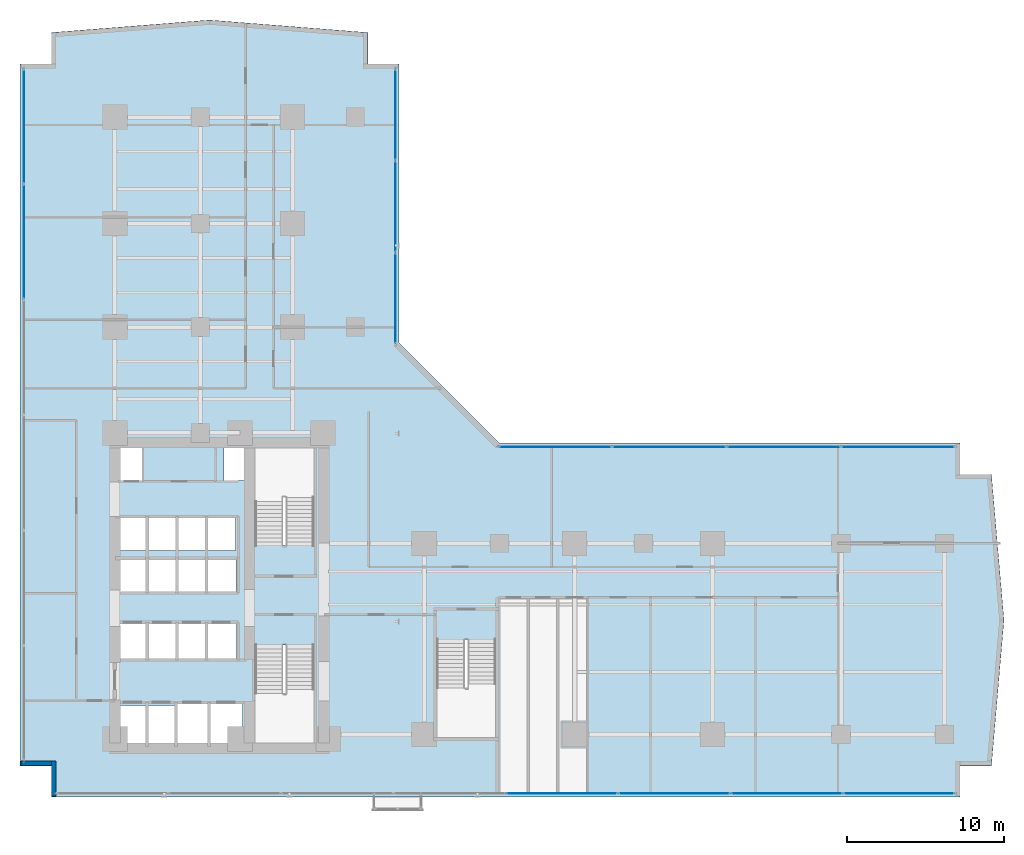
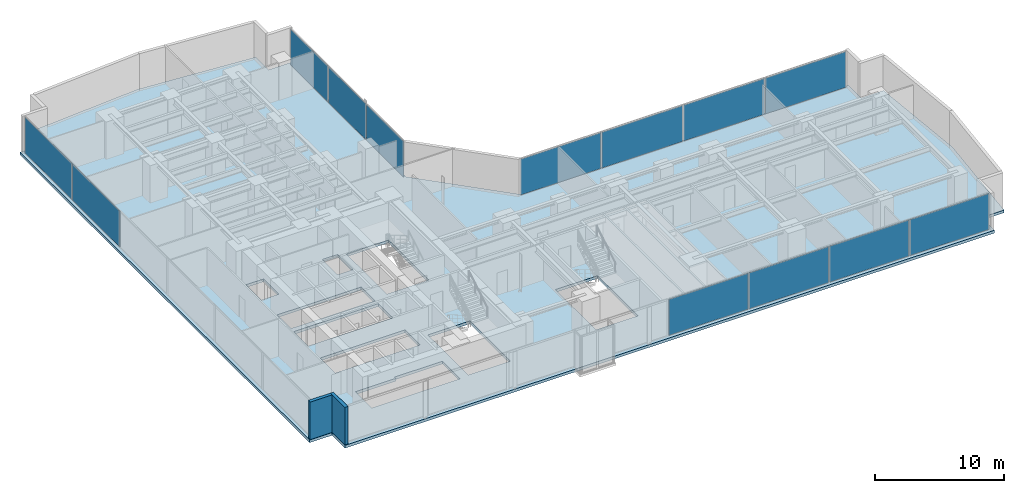
# One storey, part 21 of 27: 13 plates, 2 walls, 1 slab, 4 elements without a shape of their own.
"""IFC4 building model written with IfcOpenShell, lengths in metres."""

from ifc_helpers import new_model, si_unit, direction, frame, frame_2d, origin, origin_with_axes, origin_2d, place, context, subcontext, project, spatial, polyline, rectangle, outline, extrude, source, transform, mapped, material, layer, layer_set, type_object, element, aggregate, save


model = new_model("IFC4")

# Units and contexts
model_context = context("Model", 3, precision=1e-05, world=origin(), true_north=direction((0.0, 1.0)))
body_context = subcontext(model_context, "Body", "Model", "MODEL_VIEW")
ifc_project = project(units=[si_unit("LENGTHUNIT", "METRE"), si_unit("AREAUNIT", "SQUARE_METRE"), si_unit("VOLUMEUNIT", "CUBIC_METRE"), si_unit("PLANEANGLEUNIT", "RADIAN"), si_unit("MASSUNIT", "GRAM", prefix="KILO")], contexts=[model_context])

# Site, building, storey
site_placement = place(None, origin())
site = spatial("IfcSite", under=ifc_project, at=site_placement, CompositionType="ELEMENT")
building_placement = place(site_placement, origin())
building = spatial("IfcBuilding", under=site, at=building_placement, Name="Kolvaren Waterfront Exchange", CompositionType="ELEMENT")
storey_placement = place(building_placement, frame((0.0, 0.0, 60.0)))
storey = spatial("IfcBuildingStorey", under=building, at=storey_placement, Name="L15", CompositionType="ELEMENT", Elevation=60.0)

# Slab
ifc_material_1 = material(Name="Concrete C40/50", Category="concrete")
ifc_layer_1 = layer(ifc_material_1, 0.260009765625, Name="Concrete C40/50")
ifc_layer_set_1 = layer_set([ifc_layer_1], Name="Concrete C40/50")
slab_type = type_object("IfcSlabType", Name="STR-SLAB-260", PredefinedType="FLOOR", material=ifc_layer_set_1)
slab_placement = place(storey_placement, frame((0.0, 0.0, -0.260009765625)))
element("IfcSlab", 1, at=slab_placement, inside=storey, type_object=slab_type, Name="L15 structural floor slab", PredefinedType="FLOOR", context=body_context, shape_type="SweptSolid", body=[
    extrude(outline(polyline([(3.39990234375, 1.199951171875), (61.39990234375, 1.199951171875), (61.39990234375, 3.199951171875), (63.39990234375, 3.199951171875), (64.199951171875, 12.5), (63.39990234375, 21.800048828125), (61.39990234375, 21.800048828125), (61.39990234375, 23.800048828125), (32.0, 23.800048828125), (25.60009765625, 30.199951171875), (25.60009765625, 48.0), (23.60009765625, 48.0), (23.60009765625, 50.0), (13.5, 50.800048828125), (3.39990234375, 50.0), (3.39990234375, 48.0), (1.39990234375, 48.0), (1.39990234375, 3.199951171875), (3.39990234375, 3.199951171875), (3.39990234375, 1.199951171875)]), holes=[polyline([(11.320068359375, 7.260009765625), (15.610107421875, 7.260009765625), (15.610107421875, 4.5400390625), (7.719970703125, 4.5400390625), (7.719970703125, 7.06005859375), (11.320068359375, 7.06005859375), (11.320068359375, 7.260009765625)]), polyline([(20.159912109375, 4.64990234375), (16.39990234375, 4.64990234375), (16.39990234375, 10.89990234375), (20.159912109375, 10.89990234375), (20.159912109375, 4.64990234375)]), polyline([(31.760009765625, 5.0), (28.0, 5.0), (28.0, 11.25), (31.760009765625, 11.25), (31.760009765625, 5.0)]), polyline([(15.2099609375, 10.0400390625), (7.6201171875, 10.0400390625), (7.6201171875, 12.360107421875), (15.2099609375, 12.360107421875), (15.2099609375, 10.0400390625)]), polyline([(7.64501953125, 16.4599609375), (15.18505859375, 16.4599609375), (15.18505859375, 14.239990234375), (7.64501953125, 14.239990234375), (7.64501953125, 16.4599609375)]), polyline([(15.159912109375, 16.93994140625), (7.669921875, 16.93994140625), (7.669921875, 19.06005859375), (15.159912109375, 19.06005859375), (15.159912109375, 16.93994140625)]), polyline([(16.39990234375, 23.5), (20.159912109375, 23.5), (20.159912109375, 17.25), (16.39990234375, 17.25), (16.39990234375, 23.5)]), polyline([(7.60009765625, 23.780029296875), (9.179931640625, 23.780029296875), (9.179931640625, 21.419921875), (7.60009765625, 21.419921875), (7.60009765625, 23.780029296875)]), polyline([(15.800048828125, 23.780029296875), (15.800048828125, 21.419921875), (14.419921875, 21.419921875), (14.419921875, 23.780029296875), (15.800048828125, 23.780029296875)])]), origin(), (0.0, 0.0, 1.0), 0.260009765625),
])

# Curtain wall, plates
ifc_material_2 = material(Name="Anodised bronze aluminium 6063-T6", Category="aluminium")
ifc_layer_2 = layer(ifc_material_2, 0.219970703125, Name="Anodised bronze aluminium 6063-T6")
ifc_layer_set_2 = layer_set([ifc_layer_2], Name="Anodised bronze aluminium 6063-T6")
curtain_wall_type_1 = type_object("IfcCurtainWallType", Name="ARC-CW-SYS1", PredefinedType="USERDEFINED", material=ifc_layer_set_2)
curtain_wall_1_placement = place(storey_placement, origin())
curtain_wall_1 = element("IfcCurtainWall", 2, at=curtain_wall_1_placement, inside=storey, type_object=curtain_wall_type_1, Name="L15 stick curtain wall CW1 (CW-L15-S)", ObjectType="STICK CURTAIN WALL", PredefinedType="USERDEFINED")
ifc_material_3 = material(Name="Bronze solar control vision glass", Category="aluminium")
ifc_layer_3 = layer(ifc_material_3, 0.028076171875, Name="Bronze solar control vision glass")
ifc_layer_set_3 = layer_set([ifc_layer_3], Name="Bronze solar control vision glass")
plate_type_1 = type_object("IfcPlateType", Name="ARC-CWP-28", PredefinedType="CURTAIN_PANEL", material=ifc_layer_set_3)
shared_shape_1 = source(origin_with_axes(), body_context, "Body", "SweptSolid", [
    extrude(rectangle(XDim=7.054931640625, YDim=0.028076171875, at=origin_2d()), origin(), (0.0, 0.0, 1.0), 3.389892578125),
])
plate_1_placement = place(storey_placement, frame((57.492431640625, 1.43994140625, 0.0751953125), z_axis=(0.0, 0.0, 1.0), x_axis=(1.0, 0.0, 0.0)))
plate_1 = element("IfcPlate", 3, at=plate_1_placement, type_object=plate_type_1, Name="CW1 panel 8.1", PredefinedType="CURTAIN_PANEL", context=body_context, shape_type="MappedRepresentation", body=[
    mapped(shared_shape_1, transform((0.0, 0.0, 0.0), x_axis=(1.0, 0.0, 0.0), y_axis=(0.0, 1.0, 0.0), z_axis=(0.0, 0.0, 1.0), scale=1.0)),
])
shared_shape_2 = source(origin_with_axes(), body_context, "Body", "SweptSolid", [
    extrude(rectangle(XDim=7.094970703125, YDim=0.028076171875, at=origin_2d()), origin(), (0.0, 0.0, 1.0), 3.389892578125),
])
plate_2_placement = place(storey_placement, frame((35.987548828125, 1.43994140625, 0.0751953125), z_axis=(0.0, 0.0, 1.0), x_axis=(1.0, 0.0, 0.0)))
plate_2 = element("IfcPlate", 4, at=plate_2_placement, type_object=plate_type_1, Name="CW1 panel 5.1", PredefinedType="CURTAIN_PANEL", context=body_context, shape_type="MappedRepresentation", body=[
    mapped(shared_shape_2, transform((0.0, 0.0, 0.0), x_axis=(1.0, 0.0, 0.0), y_axis=(0.0, 1.0, 0.0), z_axis=(0.0, 0.0, 1.0), scale=1.0)),
])
plate_3_placement = place(storey_placement, frame((43.16259765625, 1.43994140625, 0.0751953125), z_axis=(0.0, 0.0, 1.0), x_axis=(1.0, 0.0, 0.0)))
plate_3 = element("IfcPlate", 5, at=plate_3_placement, type_object=plate_type_1, Name="CW1 panel 6.1", PredefinedType="CURTAIN_PANEL", context=body_context, shape_type="MappedRepresentation", body=[
    mapped(shared_shape_2, transform((0.0, 0.0, 0.0), x_axis=(1.0, 0.0, 0.0), y_axis=(0.0, 1.0, 0.0), z_axis=(0.0, 0.0, 1.0), scale=1.0)),
])
plate_4_placement = place(storey_placement, frame((50.33740234375, 1.43994140625, 0.0751953125), z_axis=(0.0, 0.0, 1.0), x_axis=(1.0, 0.0, 0.0)))
plate_4 = element("IfcPlate", 6, at=plate_4_placement, type_object=plate_type_1, Name="CW1 panel 7.1", PredefinedType="CURTAIN_PANEL", context=body_context, shape_type="MappedRepresentation", body=[
    mapped(shared_shape_2, transform((0.0, 0.0, 0.0), x_axis=(1.0, 0.0, 0.0), y_axis=(0.0, 1.0, 0.0), z_axis=(0.0, 0.0, 1.0), scale=1.0)),
])
aggregate(curtain_wall_1, [plate_2, plate_3, plate_4, plate_1])

ifc_material_4 = material(Name="Anodised aluminium 6063-T6", Category="aluminium")
ifc_layer_4 = layer(ifc_material_4, 0.219970703125, Name="Anodised aluminium 6063-T6")
ifc_layer_set_4 = layer_set([ifc_layer_4], Name="Anodised aluminium 6063-T6")
curtain_wall_type_2 = type_object("IfcCurtainWallType", Name="ARC-CW-SYS2", PredefinedType="USERDEFINED", material=ifc_layer_set_4)
curtain_wall_2_placement = place(storey_placement, origin())
curtain_wall_2 = element("IfcCurtainWall", 7, at=curtain_wall_2_placement, inside=storey, type_object=curtain_wall_type_2, Name="L15 stick curtain wall CW2 (CW-L15-W)", ObjectType="STICK CURTAIN WALL", PredefinedType="USERDEFINED")
ifc_material_5 = material(Name="Acoustic laminated vision glass", Category="glass")
ifc_layer_5 = layer(ifc_material_5, 0.031982421875, Name="Acoustic laminated vision glass")
ifc_layer_set_5 = layer_set([ifc_layer_5], Name="Acoustic laminated vision glass")
plate_type_2 = type_object("IfcPlateType", Name="ARC-CWP-32", PredefinedType="CURTAIN_PANEL", material=ifc_layer_set_5)
shared_shape_3 = source(origin_with_axes(), body_context, "Body", "SweptSolid", [
    extrude(rectangle(XDim=7.24658203125, YDim=0.031982421875, at=origin_2d()), origin(), (0.0, 0.0, 1.0), 3.389892578125),
])
plate_5_placement = place(storey_placement, frame((1.639892578125, 43.99658203125, 0.0751953125), z_axis=(0.0, 0.0, 1.0), x_axis=(0.0, 1.0, 0.0)))
plate_5 = element("IfcPlate", 8, at=plate_5_placement, type_object=plate_type_2, Name="CW2 panel 6.1", PredefinedType="CURTAIN_PANEL", context=body_context, shape_type="MappedRepresentation", body=[
    mapped(shared_shape_3, transform((0.0, 0.0, 0.0), x_axis=(1.0, 0.0, 0.0), y_axis=(0.0, 1.0, 0.0), z_axis=(0.0, 0.0, 1.0), scale=1.0)),
])
shared_shape_4 = source(origin_with_axes(), body_context, "Body", "SweptSolid", [
    extrude(rectangle(XDim=7.28662109375, YDim=0.031982421875, at=origin_2d()), origin(), (0.0, 0.0, 1.0), 3.389892578125),
])
plate_6_placement = place(storey_placement, frame((1.639892578125, 36.64990234375, 0.0751953125), z_axis=(0.0, 0.0, 1.0), x_axis=(0.0, 1.0, 0.0)))
plate_6 = element("IfcPlate", 9, at=plate_6_placement, type_object=plate_type_2, Name="CW2 panel 5.1", PredefinedType="CURTAIN_PANEL", context=body_context, shape_type="MappedRepresentation", body=[
    mapped(shared_shape_4, transform((0.0, 0.0, 0.0), x_axis=(1.0, 0.0, 0.0), y_axis=(0.0, 1.0, 0.0), z_axis=(0.0, 0.0, 1.0), scale=1.0)),
])
aggregate(curtain_wall_2, [plate_6, plate_5])

curtain_wall_3_placement = place(storey_placement, origin())
curtain_wall_3 = element("IfcCurtainWall", 10, at=curtain_wall_3_placement, inside=storey, type_object=curtain_wall_type_1, Name="L15 stick curtain wall CW1 (CW-L15-NE)", ObjectType="STICK CURTAIN WALL", PredefinedType="USERDEFINED")
shared_shape_5 = source(origin_with_axes(), body_context, "Body", "SweptSolid", [
    extrude(rectangle(XDim=5.75, YDim=0.028076171875, at=origin_2d()), origin(), (0.0, 0.0, 1.0), 3.389892578125),
])
plate_7_placement = place(storey_placement, frame((25.360107421875, 33.044921875, 0.0751953125), z_axis=(0.0, 0.0, 1.0), x_axis=(0.0, 1.0, 0.0)))
plate_7 = element("IfcPlate", 11, at=plate_7_placement, type_object=plate_type_1, Name="CW1 panel 1.1", PredefinedType="CURTAIN_PANEL", context=body_context, shape_type="MappedRepresentation", body=[
    mapped(shared_shape_5, transform((0.0, 0.0, 0.0), x_axis=(1.0, 0.0, 0.0), y_axis=(0.0, 1.0, 0.0), z_axis=(0.0, 0.0, 1.0), scale=1.0)),
])
plate_8_placement = place(storey_placement, frame((25.360107421875, 44.7451171875, 0.0751953125), z_axis=(0.0, 0.0, 1.0), x_axis=(0.0, 1.0, 0.0)))
plate_8 = element("IfcPlate", 12, at=plate_8_placement, type_object=plate_type_1, Name="CW1 panel 3.1", PredefinedType="CURTAIN_PANEL", context=body_context, shape_type="MappedRepresentation", body=[
    mapped(shared_shape_5, transform((0.0, 0.0, 0.0), x_axis=(1.0, 0.0, 0.0), y_axis=(0.0, 1.0, 0.0), z_axis=(0.0, 0.0, 1.0), scale=1.0)),
])
shared_shape_6 = source(origin_with_axes(), body_context, "Body", "SweptSolid", [
    extrude(rectangle(XDim=5.7900390625, YDim=0.028076171875, at=origin_2d()), origin(), (0.0, 0.0, 1.0), 3.389892578125),
])
plate_9_placement = place(storey_placement, frame((25.360107421875, 38.89501953125, 0.0751953125), z_axis=(0.0, 0.0, 1.0), x_axis=(0.0, 1.0, 0.0)))
plate_9 = element("IfcPlate", 13, at=plate_9_placement, type_object=plate_type_1, Name="CW1 panel 2.1", PredefinedType="CURTAIN_PANEL", context=body_context, shape_type="MappedRepresentation", body=[
    mapped(shared_shape_6, transform((0.0, 0.0, 0.0), x_axis=(1.0, 0.0, 0.0), y_axis=(0.0, 1.0, 0.0), z_axis=(0.0, 0.0, 1.0), scale=1.0)),
])
aggregate(curtain_wall_3, [plate_7, plate_9, plate_8])

curtain_wall_4_placement = place(storey_placement, origin())
curtain_wall_4 = element("IfcCurtainWall", 14, at=curtain_wall_4_placement, inside=storey, type_object=curtain_wall_type_1, Name="L15 stick curtain wall CW1 (CW-L15-EN)", ObjectType="STICK CURTAIN WALL", PredefinedType="USERDEFINED")
shared_shape_7 = source(origin_with_axes(), body_context, "Body", "SweptSolid", [
    extrude(rectangle(XDim=7.1826171875, YDim=0.028076171875, at=origin_2d()), origin(), (0.0, 0.0, 1.0), 3.389892578125),
])
plate_10_placement = place(storey_placement, frame((35.561279296875, 23.56005859375, 0.0751953125), z_axis=(0.0, 0.0, 1.0), x_axis=(1.0, 0.0, 0.0)))
plate_10 = element("IfcPlate", 15, at=plate_10_placement, type_object=plate_type_1, Name="CW1 panel 1.1", PredefinedType="CURTAIN_PANEL", context=body_context, shape_type="MappedRepresentation", body=[
    mapped(shared_shape_7, transform((0.0, 0.0, 0.0), x_axis=(1.0, 0.0, 0.0), y_axis=(0.0, 1.0, 0.0), z_axis=(0.0, 0.0, 1.0), scale=1.0)),
])
plate_11_placement = place(storey_placement, frame((57.4287109375, 23.56005859375, 0.0751953125), z_axis=(0.0, 0.0, 1.0), x_axis=(1.0, 0.0, 0.0)))
plate_11 = element("IfcPlate", 16, at=plate_11_placement, type_object=plate_type_1, Name="CW1 panel 4.1", PredefinedType="CURTAIN_PANEL", context=body_context, shape_type="MappedRepresentation", body=[
    mapped(shared_shape_7, transform((0.0, 0.0, 0.0), x_axis=(1.0, 0.0, 0.0), y_axis=(0.0, 1.0, 0.0), z_axis=(0.0, 0.0, 1.0), scale=1.0)),
])
shared_shape_8 = source(origin_with_axes(), body_context, "Body", "SweptSolid", [
    extrude(rectangle(XDim=7.222412109375, YDim=0.028076171875, at=origin_2d()), origin(), (0.0, 0.0, 1.0), 3.389892578125),
])
plate_12_placement = place(storey_placement, frame((42.84375, 23.56005859375, 0.0751953125), z_axis=(0.0, 0.0, 1.0), x_axis=(1.0, 0.0, 0.0)))
plate_12 = element("IfcPlate", 17, at=plate_12_placement, type_object=plate_type_1, Name="CW1 panel 2.1", PredefinedType="CURTAIN_PANEL", context=body_context, shape_type="MappedRepresentation", body=[
    mapped(shared_shape_8, transform((0.0, 0.0, 0.0), x_axis=(1.0, 0.0, 0.0), y_axis=(0.0, 1.0, 0.0), z_axis=(0.0, 0.0, 1.0), scale=1.0)),
])
plate_13_placement = place(storey_placement, frame((50.146240234375, 23.56005859375, 0.0751953125), z_axis=(0.0, 0.0, 1.0), x_axis=(1.0, 0.0, 0.0)))
plate_13 = element("IfcPlate", 18, at=plate_13_placement, type_object=plate_type_1, Name="CW1 panel 3.1", PredefinedType="CURTAIN_PANEL", context=body_context, shape_type="MappedRepresentation", body=[
    mapped(shared_shape_8, transform((0.0, 0.0, 0.0), x_axis=(1.0, 0.0, 0.0), y_axis=(0.0, 1.0, 0.0), z_axis=(0.0, 0.0, 1.0), scale=1.0)),
])
aggregate(curtain_wall_4, [plate_10, plate_12, plate_13, plate_11])

# Walls
ifc_material_6 = material(Name="Precast concrete C40/50", Category="concrete")
ifc_layer_6 = layer(ifc_material_6, 0.280029296875, Name="Precast concrete C40/50")
ifc_layer_set_6 = layer_set([ifc_layer_6], Name="Precast concrete C40/50")
wall_type = type_object("IfcWallType", Name="ARC-EXT-TERR-280", PredefinedType="SOLIDWALL", material=ifc_layer_set_6)
wall_1_placement = place(storey_placement, frame((3.56005859375, 1.260009765625, 0.0), z_axis=(0.0, 0.0, 1.0), x_axis=(0.0, 1.0, 0.0)))
element("IfcWall", 19, at=wall_1_placement, inside=storey, type_object=wall_type, Name="L15 notched corner spandrel pier SW-A", PredefinedType="SOLIDWALL", context=body_context, shape_type="SweptSolid", body=[
    extrude(rectangle(XDim=2.239990234375, YDim=0.280029296875, at=frame_2d((1.1201171875, 0.0))), origin(), (0.0, 0.0, 1.0), 3.5400390625),
])
wall_2_placement = place(storey_placement, frame((1.4599609375, 3.360107421875, 0.0), z_axis=(0.0, 0.0, 1.0), x_axis=(1.0, 0.0, 0.0)))
element("IfcWall", 20, at=wall_2_placement, inside=storey, type_object=wall_type, Name="L15 notched corner spandrel pier SW-B", PredefinedType="SOLIDWALL", context=body_context, shape_type="SweptSolid", body=[
    extrude(rectangle(XDim=1.9599609375, YDim=0.280029296875, at=frame_2d((0.97998046875, 0.0))), origin(), (0.0, 0.0, 1.0), 3.5400390625),
])

save(model, "model.ifc")
